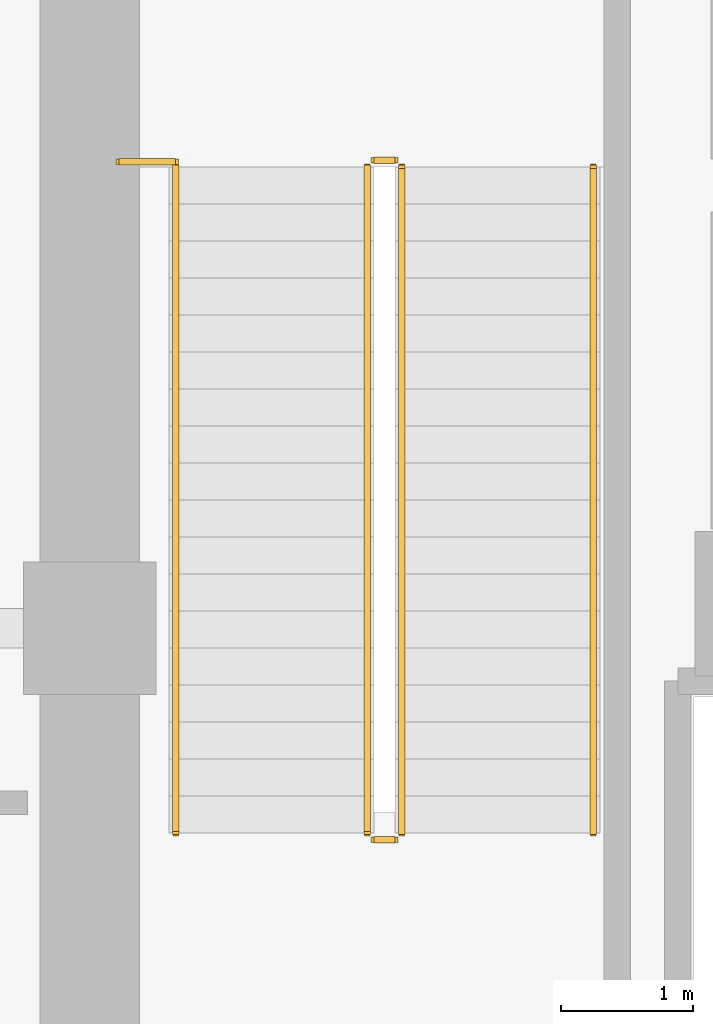
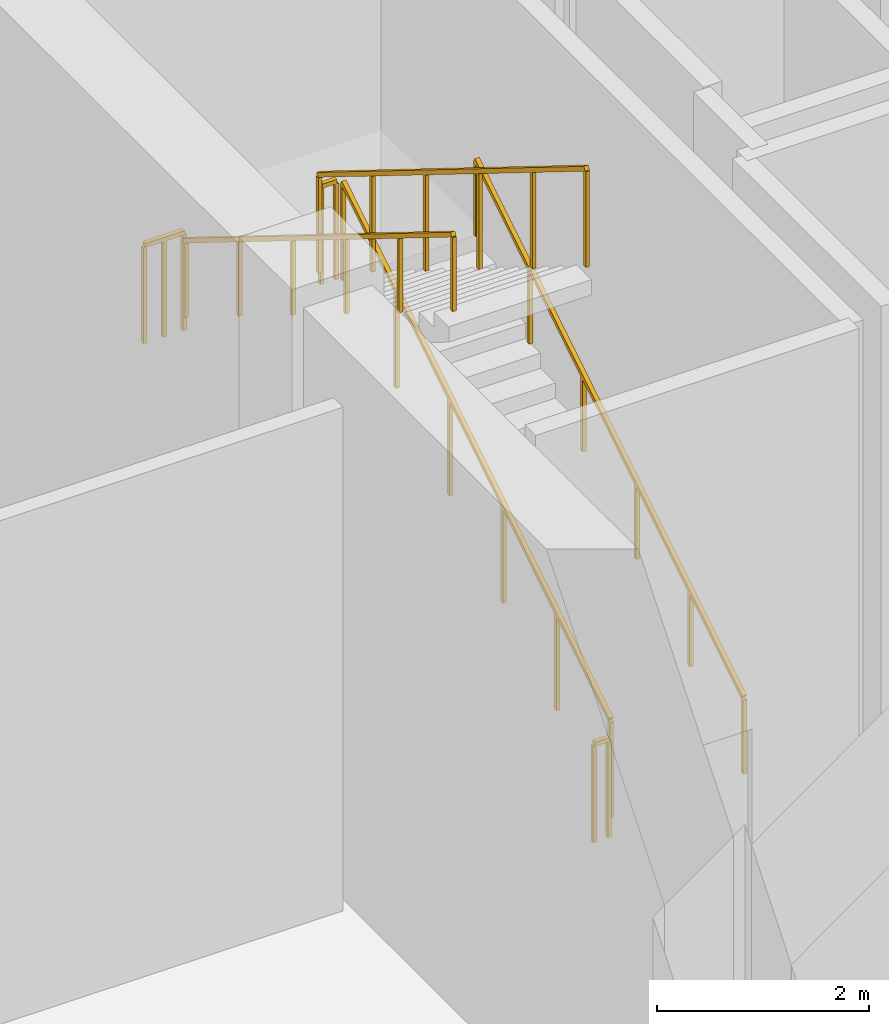
# One storey, part 12 of 15: 7 railings.
"""IFC4 building model written with IfcOpenShell, lengths in metres."""

import ifcopenshell
import ifcopenshell.guid

model = None  # the IFC model being written
_history = None  # IfcOwnerHistory: only IFC2X3 demands one
_inside = {}  # id of a spatial element -> (the spatial element, [elements in it])
_under = {}  # id of a project, library or spatial element -> (it, [spatial elements below it])
_declared = {}  # id of a project -> (the project, [libraries it declares])
_typed = {}  # id of a type object -> (the type object, [elements of that type])
_made_of = {}  # id of a material, layer set ... -> (it, [elements and type objects made of it])


def new_model(schema):
    """Start an empty IFC model of exactly this schema.

    Asked for "IFC4X3", IfcOpenShell would pick the latest addendum, in which some entities
    have other attributes; the version numbers below select the first issue.
    IFC2X3 requires an IfcOwnerHistory on every rooted entity: one is made here for all.
    """
    global model, _history
    if schema == "IFC4X3":
        model = ifcopenshell.file(schema_version=(4, 3, 0, 0))
    else:
        model = ifcopenshell.file(schema=schema)
    _inside.clear()
    _under.clear()
    _declared.clear()
    _typed.clear()
    _made_of.clear()
    _history = None
    if model.schema == "IFC2X3":
        org = make("IfcOrganization", Name="unknown")
        user = make(
            "IfcPersonAndOrganization",
            ThePerson=make("IfcPerson", FamilyName="unknown"),
            TheOrganization=org,
        )
        app = make(
            "IfcApplication",
            ApplicationDeveloper=org,
            Version="unknown",
            ApplicationFullName="unknown",
            ApplicationIdentifier="unknown",
        )
        _history = make(
            "IfcOwnerHistory",
            OwningUser=user,
            OwningApplication=app,
            ChangeAction="ADDED",
            CreationDate=0,
        )
    return model


def make(cls, **values):
    """One entity of the class cls with the attributes given. An attribute that is None is left unset."""
    return model.create_entity(
        cls, **{name: value for name, value in values.items() if value is not None}
    )


def rooted(cls, **values):
    """An entity with a GlobalId (a new one), such as an element, a storey or a relation."""
    return make(cls, GlobalId=ifcopenshell.guid.new(), OwnerHistory=_history, **values)


def si_unit(unit_type, name, prefix=None):
    """IfcSIUnit, for example si_unit("LENGTHUNIT", "METRE", prefix="MILLI")."""
    return make("IfcSIUnit", UnitType=unit_type, Prefix=prefix, Name=name)


def assignment(units):
    """IfcUnitAssignment: the units of a project."""
    return None if units is None else make("IfcUnitAssignment", Units=units)


def point(xyz):
    """IfcCartesianPoint."""
    return None if xyz is None else make("IfcCartesianPoint", Coordinates=xyz)


def direction(xyz):
    """IfcDirection."""
    return None if xyz is None else make("IfcDirection", DirectionRatios=xyz)


def frame(location, z_axis=None, x_axis=None):
    """IfcAxis2Placement3D, a coordinate frame: its origin and axes. An axis left out is left unset."""
    return make(
        "IfcAxis2Placement3D",
        Location=point(location),
        Axis=direction(z_axis),
        RefDirection=direction(x_axis),
    )


def frame_2d(location, x_axis=None):
    """IfcAxis2Placement2D, a coordinate frame in the plane: its origin and x axis."""
    return make(
        "IfcAxis2Placement2D", Location=point(location), RefDirection=direction(x_axis)
    )


def origin():
    """The frame at (0, 0, 0) with its axes left unset."""
    return frame((0.0, 0.0, 0.0))


def origin_2d():
    """The frame at (0, 0) in the plane with its x axis left unset."""
    return frame_2d((0.0, 0.0))


def place(relative_to, where):
    """IfcLocalPlacement: puts the frame where relative to a parent placement (None: the world)."""
    return make(
        "IfcLocalPlacement", PlacementRelTo=relative_to, RelativePlacement=where
    )


def context(
    kind, dimensions, precision=None, world=None, true_north=None, identifier=None
):
    """IfcGeometricRepresentationContext, for example the 3D "Model" context."""
    return make(
        "IfcGeometricRepresentationContext",
        ContextIdentifier=identifier,
        ContextType=kind,
        CoordinateSpaceDimension=dimensions,
        Precision=precision,
        WorldCoordinateSystem=world,
        TrueNorth=true_north,
    )


def subcontext(parent, identifier, kind, view, scale=None):
    """IfcGeometricRepresentationSubContext, for example "Body" below "Model"."""
    return make(
        "IfcGeometricRepresentationSubContext",
        ContextIdentifier=identifier,
        ContextType=kind,
        ParentContext=parent,
        TargetScale=scale,
        TargetView=view,
    )


def project(units=None, contexts=None):
    """IfcProject with its units and contexts."""
    return rooted(
        "IfcProject",
        Name="project",
        RepresentationContexts=contexts,
        UnitsInContext=assignment(units),
    )


def spatial(cls, under=None, at=None, **own):
    """A site, building, storey or space (cls), placed at a placement, below another one or the project."""
    s = rooted(cls, ObjectPlacement=at, **own)
    if under is not None:
        _under.setdefault(under.id(), (under, []))[1].append(s)
    return s


def profile(cls, at=None, kind="AREA", **sizes):
    """A parametric profile (cls). Its sizes go by their IFC names, for example OverallWidth=200.0."""
    return make(cls, ProfileType=kind, Position=at, **sizes)


def rectangle(**sizes):
    """IfcRectangleProfileDef."""
    return profile("IfcRectangleProfileDef", **sizes)


def extrude(swept, where, along, depth):
    """IfcExtrudedAreaSolid: the profile swept, set in the frame where, extruded along a direction by depth."""
    return make(
        "IfcExtrudedAreaSolid",
        SweptArea=swept,
        Position=where,
        ExtrudedDirection=direction(along),
        Depth=depth,
    )


def shape(context_of_items, identifier, shape_type, items):
    """IfcShapeRepresentation: the items that make up one representation, for example the "Body"."""
    return make(
        "IfcShapeRepresentation",
        ContextOfItems=context_of_items,
        RepresentationIdentifier=identifier,
        RepresentationType=shape_type,
        Items=items,
    )


def material(Name=None, Category=None):
    """IfcMaterial."""
    return make("IfcMaterial", Name=Name, Category=Category)


def made_of(thing, what):
    """Note that an element or type object is made of a material, layer set ...; save() writes the relation."""
    if what is not None:
        _made_of.setdefault(what.id(), (what, []))[1].append(thing)
    return thing


def type_object(cls, material=None, **own):
    """A type object (cls), such as IfcWallType, which elements share."""
    return made_of(rooted(cls, **own), material)


def element(
    cls,
    number,
    at=None,
    inside=None,
    cuts=None,
    type_object=None,
    material=None,
    context=None,
    identifier="Body",
    shape_type=None,
    held_by="IfcProductDefinitionShape",
    body=None,
    shapes=None,
    **own,
):
    """One element of the class cls, such as IfcWall. Its Tag is "e" and its number.

    at: its placement. inside: the storey or other place that contains it. cuts: it is an
    opening in that element (IfcRelVoidsElement). A single representation is given by context,
    identifier, shape_type and body (its items); several are given by shapes. held_by: the class
    of the entity that holds the representations. save() writes the other relations.
    """
    e = rooted(cls, Tag="e%d" % number, ObjectPlacement=at, **own)
    if body is not None:
        shapes = [shape(context, identifier, shape_type, body)]
    if shapes is not None:
        e.Representation = make(held_by, Representations=shapes)
    if inside is not None:
        _inside.setdefault(inside.id(), (inside, []))[1].append(e)
    if cuts is not None:
        rooted(
            "IfcRelVoidsElement", RelatingBuildingElement=cuts, RelatedOpeningElement=e
        )
    if type_object is not None:
        _typed.setdefault(type_object.id(), (type_object, []))[1].append(e)
    return made_of(e, material)


def aggregate(whole, parts):
    """IfcRelAggregates: a whole, such as a stair, and the parts it consists of."""
    return rooted("IfcRelAggregates", RelatingObject=whole, RelatedObjects=parts)


def save(model, path):
    """Write the relations noted so far, then the file.

    IfcRelAggregates (storeys below a building ...), IfcRelContainedInSpatialStructure (elements
    in a storey), IfcRelDefinesByType, IfcRelAssociatesMaterial and IfcRelDeclares: one each for
    every whole, place, type object, material and project.
    """
    for whole, parts in _under.values():
        aggregate(whole, parts)
    for where, things in _inside.values():
        rooted(
            "IfcRelContainedInSpatialStructure",
            RelatedElements=things,
            RelatingStructure=where,
        )
    for kind, things in _typed.values():
        rooted("IfcRelDefinesByType", RelatedObjects=things, RelatingType=kind)
    for what, things in _made_of.values():
        rooted("IfcRelAssociatesMaterial", RelatedObjects=things, RelatingMaterial=what)
    for by, libraries in _declared.values():
        rooted("IfcRelDeclares", RelatingContext=by, RelatedDefinitions=libraries)
    model.write(path)


model = new_model("IFC4")

# Units and contexts
model_context = context("Model", 3, precision=1e-05, world=origin(), true_north=direction((0.0, 1.0)))
body_context = subcontext(model_context, "Body", "Model", "MODEL_VIEW")
ifc_project = project(units=[si_unit("LENGTHUNIT", "METRE"), si_unit("AREAUNIT", "SQUARE_METRE"), si_unit("VOLUMEUNIT", "CUBIC_METRE"), si_unit("PLANEANGLEUNIT", "RADIAN"), si_unit("MASSUNIT", "GRAM", prefix="KILO")], contexts=[model_context])

# Site, building, storey
site_placement = place(None, origin())
site = spatial("IfcSite", under=ifc_project, at=site_placement, CompositionType="ELEMENT")
building_placement = place(site_placement, origin())
building = spatial("IfcBuilding", under=site, at=building_placement, Name="Zarnakvel Exchange Tower", CompositionType="ELEMENT")
storey_placement = place(building_placement, frame((0.0, 0.0, 80.199951171875)))
storey = spatial("IfcBuildingStorey", under=building, at=storey_placement, Name="L22", CompositionType="ELEMENT", Elevation=80.199951171875)

# Railings
ifc_material_1 = material(Name="Brushed Stainless Steel", Category="steel")
railing_type_1 = type_object("IfcRailingType", Name="HR-01", PredefinedType="HANDRAIL", material=ifc_material_1)
railing_1_placement = place(storey_placement, frame((-10.590087890625, 5.050048828125, 0.173828125)))
element("IfcRailing", 1, at=railing_1_placement, inside=storey, type_object=railing_type_1, Name="L22 ST-01 stair handrail 1", PredefinedType="HANDRAIL", context=body_context, shape_type="SweptSolid", body=[
    extrude(rectangle(XDim=0.048095703125, YDim=0.048095703125, at=origin_2d()), frame((0.0, 0.0, 0.8759765625), z_axis=(0.0, 0.849797224451, 0.527109739348), x_axis=(-1.0, 0.0, 0.0)), (0.0, 0.0, 1.0), 5.930908203125),
    extrude(rectangle(XDim=0.0419921875, YDim=0.0419921875, at=origin_2d()), origin(), (0.0, 0.0, 1.0), 0.851806640625),
    extrude(rectangle(XDim=0.0419921875, YDim=0.0419921875, at=origin_2d()), frame((0.0, 1.008056640625, 0.625244140625)), (0.0, 0.0, 1.0), 0.851806640625),
    extrude(rectangle(XDim=0.0419921875, YDim=0.0419921875, at=origin_2d()), frame((0.0, 2.01611328125, 1.25048828125)), (0.0, 0.0, 1.0), 0.851806640625),
    extrude(rectangle(XDim=0.0419921875, YDim=0.0419921875, at=origin_2d()), frame((0.0, 3.02392578125, 1.875732421875)), (0.0, 0.0, 1.0), 0.851806640625),
    extrude(rectangle(XDim=0.0419921875, YDim=0.0419921875, at=origin_2d()), frame((0.0, 4.031982421875, 2.5009765625)), (0.0, 0.0, 1.0), 0.851806640625),
    extrude(rectangle(XDim=0.0419921875, YDim=0.0419921875, at=origin_2d()), frame((0.0, 5.0400390625, 3.126220703125)), (0.0, 0.0, 1.0), 0.851806640625),
])
railing_2_placement = place(storey_placement, frame((-13.75, 10.090087890625, 3.4736328125)))
element("IfcRailing", 2, at=railing_2_placement, inside=storey, type_object=railing_type_1, Name="L22 ST-01 stair handrail 2", PredefinedType="HANDRAIL", context=body_context, shape_type="SweptSolid", body=[
    extrude(rectangle(XDim=0.048095703125, YDim=0.048095703125, at=origin_2d()), frame((0.0, 0.0, 0.8759765625), z_axis=(0.0, -0.849778785312, 0.527139465448), x_axis=(1.0, 0.0, 0.0)), (0.0, 0.0, 1.0), 5.930908203125),
    extrude(rectangle(XDim=0.0419921875, YDim=0.0419921875, at=origin_2d()), origin(), (0.0, 0.0, 1.0), 0.851806640625),
    extrude(rectangle(XDim=0.0419921875, YDim=0.0419921875, at=origin_2d()), frame((0.0, -1.008056640625, 0.625244140625)), (0.0, 0.0, 1.0), 0.851806640625),
    extrude(rectangle(XDim=0.0419921875, YDim=0.0419921875, at=origin_2d()), frame((0.0, -2.01611328125, 1.25048828125)), (0.0, 0.0, 1.0), 0.851806640625),
    extrude(rectangle(XDim=0.0419921875, YDim=0.0419921875, at=origin_2d()), frame((0.0, -3.02392578125, 1.8759765625)), (0.0, 0.0, 1.0), 0.851806640625),
    extrude(rectangle(XDim=0.0419921875, YDim=0.0419921875, at=origin_2d()), frame((0.0, -4.031982421875, 2.501220703125)), (0.0, 0.0, 1.0), 0.851806640625),
    extrude(rectangle(XDim=0.0419921875, YDim=0.0419921875, at=origin_2d()), frame((0.0, -5.0400390625, 3.12646484375)), (0.0, 0.0, 1.0), 0.851806640625),
])
ifc_material_2 = material(Name="Architectural Bronze Anodised Aluminium", Category="aluminium")
railing_type_2 = type_object("IfcRailingType", Name="SG-01", PredefinedType="GUARDRAIL", material=ifc_material_2)
railing_3_placement = place(storey_placement, frame((-12.0400390625, 5.050048828125, 0.173828125)))
element("IfcRailing", 3, at=railing_3_placement, inside=storey, type_object=railing_type_2, Name="L22 ST-01 stair guard 1", PredefinedType="GUARDRAIL", context=body_context, shape_type="SweptSolid", body=[
    extrude(rectangle(XDim=0.048095703125, YDim=0.048095703125, at=origin_2d()), frame((0.0, 0.0, 1.1259765625), z_axis=(0.0, 0.849797224451, 0.527109739348), x_axis=(-1.0, 0.0, 0.0)), (0.0, 0.0, 1.0), 5.930908203125),
    extrude(rectangle(XDim=0.0419921875, YDim=0.0419921875, at=origin_2d()), origin(), (0.0, 0.0, 1.0), 1.101806640625),
    extrude(rectangle(XDim=0.0419921875, YDim=0.0419921875, at=origin_2d()), frame((0.0, 1.008056640625, 0.625244140625)), (0.0, 0.0, 1.0), 1.101806640625),
    extrude(rectangle(XDim=0.0419921875, YDim=0.0419921875, at=origin_2d()), frame((0.0, 2.01611328125, 1.25048828125)), (0.0, 0.0, 1.0), 1.101806640625),
    extrude(rectangle(XDim=0.0419921875, YDim=0.0419921875, at=origin_2d()), frame((0.0, 3.02392578125, 1.875732421875)), (0.0, 0.0, 1.0), 1.101806640625),
    extrude(rectangle(XDim=0.0419921875, YDim=0.0419921875, at=origin_2d()), frame((0.0, 4.031982421875, 2.5009765625)), (0.0, 0.0, 1.0), 1.101806640625),
    extrude(rectangle(XDim=0.0419921875, YDim=0.0419921875, at=origin_2d()), frame((0.0, 5.0400390625, 3.126220703125)), (0.0, 0.0, 1.0), 1.101806640625),
])
railing_4_placement = place(storey_placement, frame((-12.090087890625, 10.139892578125, 3.300048828125)))
element("IfcRailing", 4, at=railing_4_placement, inside=storey, type_object=railing_type_2, Name="L22 ST-01 stair guard 2", PredefinedType="GUARDRAIL", context=body_context, shape_type="SweptSolid", body=[
    extrude(rectangle(XDim=0.048095703125, YDim=0.048095703125, at=origin_2d()), frame((0.0, 0.0, 1.1259765625), z_axis=(-1.0, 0.0, 0.0), x_axis=(0.0, -1.0, 0.0)), (0.0, 0.0, 1.0), 0.159912109375),
    extrude(rectangle(XDim=0.0419921875, YDim=0.0419921875, at=origin_2d()), origin(), (0.0, 0.0, 1.0), 1.101806640625),
    extrude(rectangle(XDim=0.0419921875, YDim=0.0419921875, at=origin_2d()), frame((-0.159912109375, 0.0, 0.0)), (0.0, 0.0, 1.0), 1.101806640625),
])
railing_5_placement = place(storey_placement, frame((-12.300048828125, 10.090087890625, 3.4736328125)))
element("IfcRailing", 5, at=railing_5_placement, inside=storey, type_object=railing_type_2, Name="L22 ST-01 stair guard 3", PredefinedType="GUARDRAIL", context=body_context, shape_type="SweptSolid", body=[
    extrude(rectangle(XDim=0.048095703125, YDim=0.048095703125, at=origin_2d()), frame((0.0, 0.0, 1.1259765625), z_axis=(0.0, -0.849778785312, 0.527139465448), x_axis=(1.0, 0.0, 0.0)), (0.0, 0.0, 1.0), 5.930908203125),
    extrude(rectangle(XDim=0.0419921875, YDim=0.0419921875, at=origin_2d()), origin(), (0.0, 0.0, 1.0), 1.101806640625),
    extrude(rectangle(XDim=0.0419921875, YDim=0.0419921875, at=origin_2d()), frame((0.0, -1.008056640625, 0.625244140625)), (0.0, 0.0, 1.0), 1.101806640625),
    extrude(rectangle(XDim=0.0419921875, YDim=0.0419921875, at=origin_2d()), frame((0.0, -2.01611328125, 1.25048828125)), (0.0, 0.0, 1.0), 1.101806640625),
    extrude(rectangle(XDim=0.0419921875, YDim=0.0419921875, at=origin_2d()), frame((0.0, -3.02392578125, 1.8759765625)), (0.0, 0.0, 1.0), 1.101806640625),
    extrude(rectangle(XDim=0.0419921875, YDim=0.0419921875, at=origin_2d()), frame((0.0, -4.031982421875, 2.501220703125)), (0.0, 0.0, 1.0), 1.101806640625),
    extrude(rectangle(XDim=0.0419921875, YDim=0.0419921875, at=origin_2d()), frame((0.0, -5.0400390625, 3.12646484375)), (0.0, 0.0, 1.0), 1.101806640625),
])
railing_6_placement = place(storey_placement, frame((-12.090087890625, 5.0, 0.0)))
element("IfcRailing", 6, at=railing_6_placement, inside=storey, type_object=railing_type_2, Name="L22 ST-01 stair guard 4", PredefinedType="GUARDRAIL", context=body_context, shape_type="SweptSolid", body=[
    extrude(rectangle(XDim=0.048095703125, YDim=0.048095703125, at=origin_2d()), frame((0.0, 0.0, 1.1259765625), z_axis=(-1.0, 0.0, 0.0), x_axis=(0.0, -1.0, 0.0)), (0.0, 0.0, 1.0), 0.159912109375),
    extrude(rectangle(XDim=0.0419921875, YDim=0.0419921875, at=origin_2d()), origin(), (0.0, 0.0, 1.0), 1.101806640625),
    extrude(rectangle(XDim=0.0419921875, YDim=0.0419921875, at=origin_2d()), frame((-0.159912109375, 0.0, 0.0)), (0.0, 0.0, 1.0), 1.101806640625),
])
railing_7_placement = place(storey_placement, frame((-14.179931640625, 10.1298828125, 3.300048828125)))
element("IfcRailing", 7, at=railing_7_placement, inside=storey, type_object=railing_type_2, Name="L22 ST-01 Landing Slot Guardrail", PredefinedType="GUARDRAIL", context=body_context, shape_type="SweptSolid", body=[
    extrude(rectangle(XDim=0.048095703125, YDim=0.048095703125, at=origin_2d()), frame((0.0, 0.0, 1.1259765625), z_axis=(1.0, 0.0, 0.0), x_axis=(0.0, 1.0, 0.0)), (0.0, 0.0, 1.0), 0.429931640625),
    extrude(rectangle(XDim=0.0419921875, YDim=0.0419921875, at=origin_2d()), origin(), (0.0, 0.0, 1.0), 1.101806640625),
    extrude(rectangle(XDim=0.0419921875, YDim=0.0419921875, at=origin_2d()), frame((0.21484375, 0.0, 0.0)), (0.0, 0.0, 1.0), 1.101806640625),
    extrude(rectangle(XDim=0.0419921875, YDim=0.0419921875, at=origin_2d()), frame((0.429931640625, 0.0, 0.0)), (0.0, 0.0, 1.0), 1.101806640625),
])

save(model, "model.ifc")
